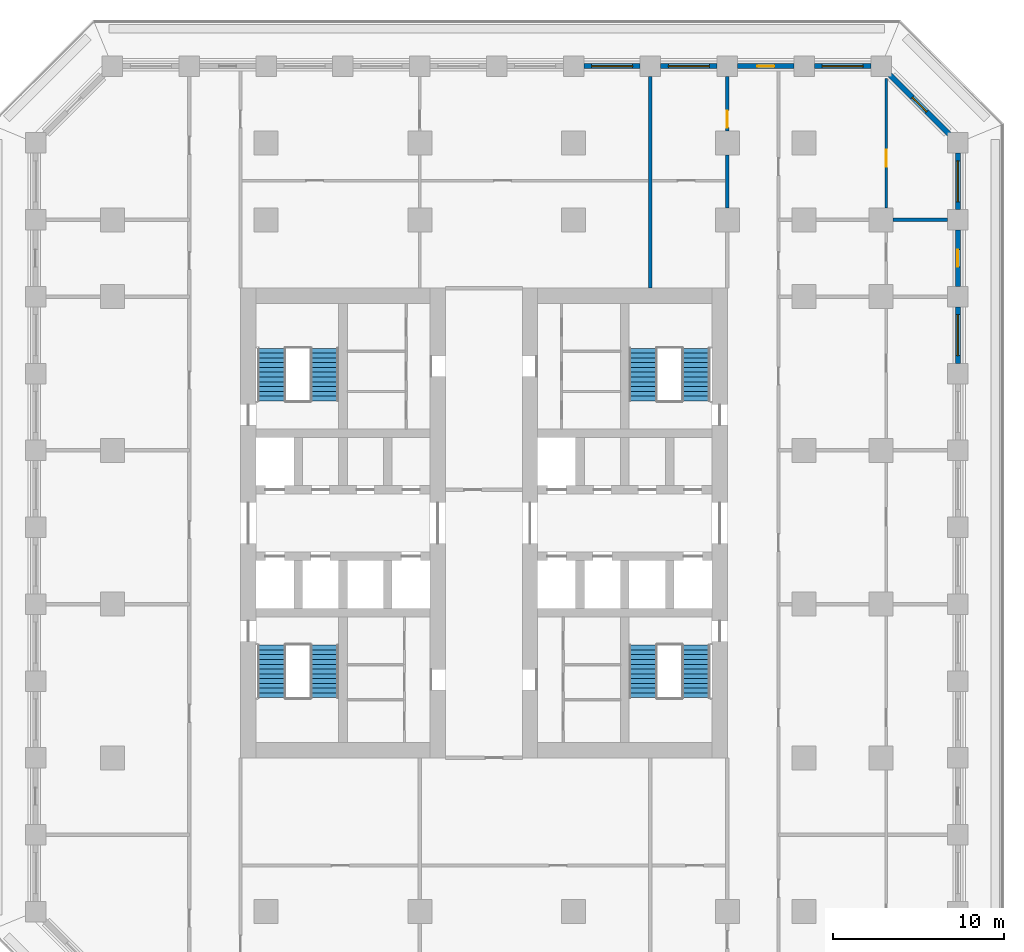
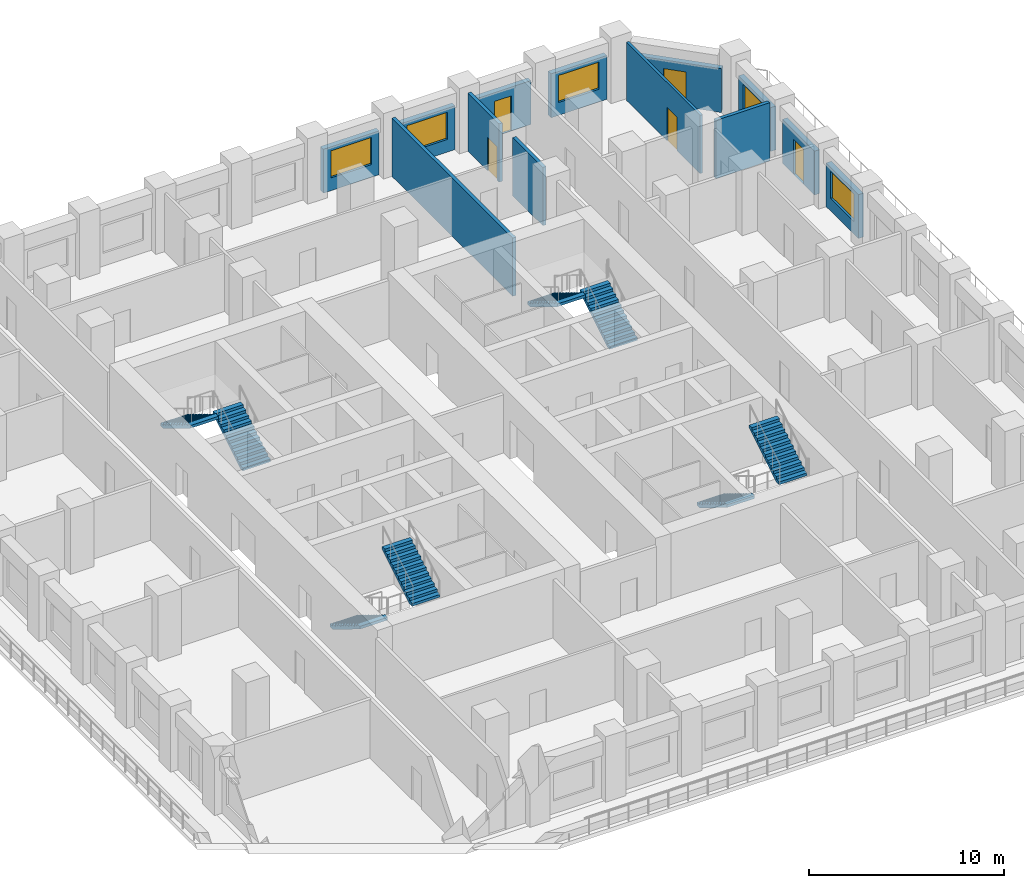
# One storey, part 8 of 17: 13 walls, 8 stair flights, 5 doors, 5 windows, 10 openings, 4 elements without a shape of their own.
"""IFC4 building model written with IfcOpenShell, lengths in metres."""

from ifc_helpers import new_model, si_unit, direction, frame, frame_2d, origin, place, context, subcontext, project, spatial, polyline, rectangle, outline, extrude, material, layer, layer_set, type_object, element, fill, aggregate, save


model = new_model("IFC4")

# Units and contexts
model_context = context("Model", 3, precision=1e-05, world=origin(), true_north=direction((0.0, 1.0)))
body_context = subcontext(model_context, "Body", "Model", "MODEL_VIEW")
ifc_project = project(units=[si_unit("LENGTHUNIT", "METRE"), si_unit("AREAUNIT", "SQUARE_METRE"), si_unit("VOLUMEUNIT", "CUBIC_METRE"), si_unit("PLANEANGLEUNIT", "RADIAN"), si_unit("MASSUNIT", "GRAM", prefix="KILO")], contexts=[model_context])

# Site, building, storey
site_placement = place(None, origin())
site = spatial("IfcSite", under=ifc_project, at=site_placement, CompositionType="ELEMENT")
building_placement = place(site_placement, origin())
building = spatial("IfcBuilding", under=site, at=building_placement, Name="Corbel Stack Research Tower", CompositionType="ELEMENT")
storey_placement = place(building_placement, frame((0.0, 0.0, 94.300048828125)))
storey = spatial("IfcBuildingStorey", under=building, at=storey_placement, Name="L21", CompositionType="ELEMENT", Elevation=94.300048828125)

# Walls
ifc_material_1 = material(Name="Fire-rated gypsum board partition on steel studs", Category="steel")
ifc_layer_1 = layer(ifc_material_1, 0.199951171875)
ifc_layer_set_1 = layer_set([ifc_layer_1], Name="Fire-rated gypsum board partition on steel studs")
wall_type_1 = type_object("IfcWallType", Name="Fire-rated partition 200 EI 60", PredefinedType="PARTITIONING", material=ifc_layer_set_1)
wall_1_placement = place(storey_placement, frame((13.5, 18.5, 0.0), z_axis=(0.0, 0.0, 1.0), x_axis=(0.0, 1.0, 0.0)))
element("IfcWall", 1, at=wall_1_placement, inside=storey, type_object=wall_type_1, Name="Partition L21-010", PredefinedType="PARTITIONING", context=body_context, shape_type="SweptSolid", body=[
    extrude(rectangle(XDim=12.39990234375, YDim=0.199951171875, at=frame_2d((6.199951171875, 0.0))), origin(), (0.0, 0.0, 1.0), 3.64990234375),
])
wall_2_placement = place(storey_placement, frame((18.0, 23.199951171875, 0.0), z_axis=(0.0, 0.0, 1.0), x_axis=(0.0, 1.0, 0.0)))
element("IfcWall", 2, at=wall_2_placement, inside=storey, type_object=wall_type_1, Name="Partition L21-014", PredefinedType="PARTITIONING", context=body_context, shape_type="SweptSolid", body=[
    extrude(rectangle(XDim=3.10009765625, YDim=0.199951171875, at=frame_2d((1.550048828125, 0.0))), origin(), (0.0, 0.0, 1.0), 3.64990234375),
])

# Wall, opening, door
wall_3_placement = place(storey_placement, frame((18.0, 27.699951171875, 0.0), z_axis=(0.0, 0.0, 1.0), x_axis=(0.0, 1.0, 0.0)))
wall_3 = element("IfcWall", 3, at=wall_3_placement, inside=storey, type_object=wall_type_1, Name="Partition L21-015", PredefinedType="PARTITIONING", context=body_context, shape_type="SweptSolid", body=[
    extrude(rectangle(XDim=3.199951171875, YDim=0.199951171875, at=frame_2d((1.60009765625, 0.0))), origin(), (0.0, 0.0, 1.0), 3.64990234375),
])
opening_1_placement = place(wall_3_placement, frame((0.199951171875, 0.0, 0.0)))
opening_1 = element("IfcOpeningElement", 4, at=opening_1_placement, cuts=wall_3, Name="Opening B3V1-016", PredefinedType="OPENING", context=body_context, shape_type="SweptSolid", body=[
    extrude(rectangle(XDim=1.0, YDim=2.10009765625, at=frame_2d((0.5, 1.050048828125))), frame((0.0, 0.10986328125, 0.0), z_axis=(0.0, -1.0, 0.0), x_axis=(1.0, 0.0, 0.0)), (0.0, 0.0, 1.0), 0.219970703125),
])
ifc_material_2 = material(Name="Painted steel fire door", Category="steel")
door_type_1 = type_object("IfcDoorType", Name="Fire door FD30S 1000 x 2100", OperationType="NOTDEFINED", PredefinedType="DOOR", material=ifc_material_2)
door_1_placement = place(opening_1_placement, origin())
door_1 = element("IfcDoor", 5, at=door_1_placement, inside=storey, type_object=door_type_1, Name="Door B3V1-016", OperationType="SINGLE_SWING_LEFT", OverallHeight=2.10009765625, OverallWidth=1.0, PredefinedType="DOOR", context=body_context, shape_type="SweptSolid", body=[
    extrude(rectangle(XDim=1.0, YDim=2.10009765625, at=frame_2d((0.5, 1.050048828125))), frame((0.0, 0.02490234375, 0.0), z_axis=(0.0, -1.0, 0.0), x_axis=(1.0, 0.0, 0.0)), (0.0, 0.0, 1.0), 0.050048828125),
])
fill(opening_1, door_1)

# Wall
wall_4_placement = place(storey_placement, frame((27.699951171875, 22.5, 0.0), z_axis=(0.0, 0.0, 1.0), x_axis=(1.0, 0.0, 0.0)))
element("IfcWall", 6, at=wall_4_placement, inside=storey, type_object=wall_type_1, Name="Partition L21-048", PredefinedType="PARTITIONING", context=body_context, shape_type="SweptSolid", body=[
    extrude(rectangle(XDim=3.199951171875, YDim=0.199951171875, at=frame_2d((1.60009765625, 0.0))), origin(), (0.0, 0.0, 1.0), 3.64990234375),
])

# Wall, opening, door
ifc_material_3 = material(Name="Gypsum board partition on steel studs", Category="steel")
ifc_layer_2 = layer(ifc_material_3, 0.14990234375)
ifc_layer_set_2 = layer_set([ifc_layer_2], Name="Gypsum board partition on steel studs")
wall_type_2 = type_object("IfcWallType", Name="Partition 150", PredefinedType="PARTITIONING", material=ifc_layer_set_2)
wall_5_placement = place(storey_placement, frame((27.300048828125, 30.777099609375, 0.0), z_axis=(0.0, 0.0, 1.0), x_axis=(0.0, -1.0, 0.0)))
wall_5 = element("IfcWall", 7, at=wall_5_placement, inside=storey, type_object=wall_type_2, Name="Partition L21-022", PredefinedType="PARTITIONING", context=body_context, shape_type="SweptSolid", body=[
    extrude(rectangle(XDim=7.5771484375, YDim=0.14990234375, at=frame_2d((3.78857421875, 0.0))), origin(), (0.0, 0.0, 1.0), 3.64990234375),
])
opening_2_placement = place(wall_5_placement, frame((4.17724609375, 0.0, 0.0)))
opening_2 = element("IfcOpeningElement", 8, at=opening_2_placement, cuts=wall_5, Name="Opening B3V1-031", PredefinedType="OPENING", context=body_context, shape_type="SweptSolid", body=[
    extrude(rectangle(XDim=1.0, YDim=2.10009765625, at=frame_2d((0.5, 1.050048828125))), frame((0.0, 0.0849609375, 0.0), z_axis=(0.0, -1.0, 0.0), x_axis=(1.0, 0.0, 0.0)), (0.0, 0.0, 1.0), 0.169921875),
])
ifc_material_4 = material(Name="Painted timber door", Category="wood")
door_type_2 = type_object("IfcDoorType", Name="Single door 1000 x 2100", OperationType="NOTDEFINED", PredefinedType="DOOR", material=ifc_material_4)
door_2_placement = place(opening_2_placement, origin())
door_2 = element("IfcDoor", 9, at=door_2_placement, inside=storey, type_object=door_type_2, Name="Door B3V1-031", OperationType="SINGLE_SWING_RIGHT", OverallHeight=2.10009765625, OverallWidth=1.0, PredefinedType="DOOR", context=body_context, shape_type="SweptSolid", body=[
    extrude(rectangle(XDim=1.0, YDim=2.10009765625, at=frame_2d((0.5, 1.050048828125))), frame((0.0, 0.02490234375, 0.0), z_axis=(0.0, -1.0, 0.0), x_axis=(1.0, 0.0, 0.0)), (0.0, 0.0, 1.0), 0.050048828125),
])
fill(opening_2, door_2)

# Wall, opening, window
ifc_material_5 = material(Name="Concrete C45/55", Category="concrete")
ifc_layer_3 = layer(ifc_material_5, 0.300048828125)
ifc_layer_set_3 = layer_set([ifc_layer_3], Name="Concrete C45/55")
wall_type_3 = type_object("IfcWallType", Name="Terracotta-faced concrete wall 300", PredefinedType="SOLIDWALL", material=ifc_layer_set_3)
wall_6_placement = place(storey_placement, frame((31.5, 17.39990234375, 0.0), z_axis=(0.0, 0.0, 1.0), x_axis=(0.0, -1.0, 0.0)))
wall_6 = element("IfcWall", 10, at=wall_6_placement, inside=storey, type_object=wall_type_3, Name="Facade wall L21 E08", PredefinedType="SOLIDWALL", context=body_context, shape_type="SweptSolid", body=[
    extrude(rectangle(XDim=3.2998046875, YDim=0.300048828125, at=frame_2d((1.64990234375, 0.0))), origin(), (0.0, 0.0, 1.0), 2.75),
])
opening_3_placement = place(wall_6_placement, frame((0.449951171875, 0.0, 0.800048828125)))
opening_3 = element("IfcOpeningElement", 11, at=opening_3_placement, cuts=wall_6, Name="Opening W1", PredefinedType="OPENING", context=body_context, shape_type="SweptSolid", body=[
    extrude(rectangle(XDim=2.39990234375, YDim=1.699951171875, at=frame_2d((1.199951171875, 0.85009765625))), frame((0.0, 0.159912109375, 0.0), z_axis=(0.0, -1.0, 0.0), x_axis=(1.0, 0.0, 0.0)), (0.0, 0.0, 1.0), 0.320068359375),
])
ifc_material_6 = material(Name="Aluminium frame, clear double glazing", Category="aluminium")
window_type = type_object("IfcWindowType", Name="Window W1 2400 x 1700", PartitioningType="SINGLE_PANEL", PredefinedType="WINDOW", material=ifc_material_6)
window_1_placement = place(opening_3_placement, origin())
window_1 = element("IfcWindow", 12, at=window_1_placement, inside=storey, type_object=window_type, Name="Window W1 L21 E08", OverallHeight=1.699951171875, OverallWidth=2.39990234375, PartitioningType="SINGLE_PANEL", PredefinedType="WINDOW", context=body_context, shape_type="SweptSolid", body=[
    extrude(rectangle(XDim=2.39990234375, YDim=1.699951171875, at=frame_2d((1.199951171875, 0.85009765625))), frame((0.0, 0.030029296875, 0.0), z_axis=(0.0, -1.0, 0.0), x_axis=(1.0, 0.0, 0.0)), (0.0, 0.0, 1.0), 0.06005859375),
])
fill(opening_3, window_1)

# Wall, opening, door
wall_7_placement = place(storey_placement, frame((31.5, 21.89990234375, 0.0), z_axis=(0.0, 0.0, 1.0), x_axis=(0.0, -1.0, 0.0)))
wall_7 = element("IfcWall", 13, at=wall_7_placement, inside=storey, type_object=wall_type_3, Name="Facade wall L21 E09", PredefinedType="SOLIDWALL", context=body_context, shape_type="SweptSolid", body=[
    extrude(rectangle(XDim=3.2998046875, YDim=0.300048828125, at=frame_2d((1.64990234375, 0.0))), origin(), (0.0, 0.0, 1.0), 2.75),
])
opening_4_placement = place(wall_7_placement, frame((1.14990234375, 0.0, 0.0)))
opening_4 = element("IfcOpeningElement", 14, at=opening_4_placement, cuts=wall_7, Name="Opening L21-B05", PredefinedType="OPENING", context=body_context, shape_type="SweptSolid", body=[
    extrude(rectangle(XDim=1.0, YDim=2.199951171875, at=frame_2d((0.5, 1.10009765625))), frame((0.0, 0.159912109375, 0.0), z_axis=(0.0, -1.0, 0.0), x_axis=(1.0, 0.0, 0.0)), (0.0, 0.0, 1.0), 0.320068359375),
])
ifc_material_7 = material(Name="Aluminium frame, clear double glazing", Category="aluminium")
door_type_3 = type_object("IfcDoorType", Name="Balcony door BD1 1000 x 2200", OperationType="NOTDEFINED", PredefinedType="DOOR", material=ifc_material_7)
door_3_placement = place(opening_4_placement, origin())
door_3 = element("IfcDoor", 15, at=door_3_placement, inside=storey, type_object=door_type_3, Name="Balcony door L21-B05", OperationType="SINGLE_SWING_RIGHT", OverallHeight=2.199951171875, OverallWidth=1.0, PredefinedType="DOOR", context=body_context, shape_type="SweptSolid", body=[
    extrude(rectangle(XDim=1.0, YDim=2.199951171875, at=frame_2d((0.5, 1.10009765625))), frame((0.0, 0.02490234375, 0.0), z_axis=(0.0, -1.0, 0.0), x_axis=(1.0, 0.0, 0.0)), (0.0, 0.0, 1.0), 0.050048828125),
])
fill(opening_4, door_3)

# Wall, opening, window
wall_8_placement = place(storey_placement, frame((31.5, 26.39990234375, 0.0), z_axis=(0.0, 0.0, 1.0), x_axis=(0.0, -1.0, 0.0)))
wall_8 = element("IfcWall", 16, at=wall_8_placement, inside=storey, type_object=wall_type_3, Name="Facade wall L21 E10", PredefinedType="SOLIDWALL", context=body_context, shape_type="SweptSolid", body=[
    extrude(rectangle(XDim=3.2998046875, YDim=0.300048828125, at=frame_2d((1.64990234375, 0.0))), origin(), (0.0, 0.0, 1.0), 2.75),
])
opening_5_placement = place(wall_8_placement, frame((0.449951171875, 0.0, 0.800048828125)))
opening_5 = element("IfcOpeningElement", 17, at=opening_5_placement, cuts=wall_8, Name="Opening W1", PredefinedType="OPENING", context=body_context, shape_type="SweptSolid", body=[
    extrude(rectangle(XDim=2.39990234375, YDim=1.699951171875, at=frame_2d((1.199951171875, 0.85009765625))), frame((0.0, 0.159912109375, 0.0), z_axis=(0.0, -1.0, 0.0), x_axis=(1.0, 0.0, 0.0)), (0.0, 0.0, 1.0), 0.320068359375),
])
window_2_placement = place(opening_5_placement, origin())
window_2 = element("IfcWindow", 18, at=window_2_placement, inside=storey, type_object=window_type, Name="Window W1 L21 E10", OverallHeight=1.699951171875, OverallWidth=2.39990234375, PartitioningType="SINGLE_PANEL", PredefinedType="WINDOW", context=body_context, shape_type="SweptSolid", body=[
    extrude(rectangle(XDim=2.39990234375, YDim=1.699951171875, at=frame_2d((1.199951171875, 0.85009765625))), frame((0.0, 0.030029296875, 0.0), z_axis=(0.0, -1.0, 0.0), x_axis=(1.0, 0.0, 0.0)), (0.0, 0.0, 1.0), 0.06005859375),
])
fill(opening_5, window_2)

# Wall, opening, door
wall_9_placement = place(storey_placement, frame((27.493896484375, 31.006103515625, 0.0), z_axis=(0.0, 0.0, 1.0), x_axis=(0.707106781187, -0.707106781187, 0.0)))
wall_9 = element("IfcWall", 19, at=wall_9_placement, inside=storey, type_object=wall_type_3, Name="Facade wall L21 NE01", PredefinedType="SOLIDWALL", context=body_context, shape_type="SweptSolid", body=[
    extrude(rectangle(XDim=4.967041015625, YDim=0.300048828125, at=frame_2d((2.4833984375, 0.0))), origin(), (0.0, 0.0, 1.0), 2.75),
])
opening_6_placement = place(wall_9_placement, frame((1.883544921875, 0.0, 0.0)))
opening_6 = element("IfcOpeningElement", 20, at=opening_6_placement, cuts=wall_9, Name="Opening L21-B06", PredefinedType="OPENING", context=body_context, shape_type="SweptSolid", body=[
    extrude(rectangle(XDim=1.199951171875, YDim=2.199951171875, at=frame_2d((0.60009765625, 1.10009765625))), frame((0.0, 0.159912109375, 0.0), z_axis=(0.0, -1.0, 0.0), x_axis=(1.0, 0.0, 0.0)), (0.0, 0.0, 1.0), 0.320068359375),
])
ifc_material_8 = material(Name="Aluminium frame, clear double glazing", Category="aluminium")
door_type_4 = type_object("IfcDoorType", Name="Balcony door BD2 1200 x 2200", OperationType="NOTDEFINED", PredefinedType="DOOR", material=ifc_material_8)
door_4_placement = place(opening_6_placement, origin())
door_4 = element("IfcDoor", 21, at=door_4_placement, inside=storey, type_object=door_type_4, Name="Balcony door L21-B06", OperationType="SINGLE_SWING_RIGHT", OverallHeight=2.199951171875, OverallWidth=1.199951171875, PredefinedType="DOOR", context=body_context, shape_type="SweptSolid", body=[
    extrude(rectangle(XDim=1.199951171875, YDim=2.199951171875, at=frame_2d((0.60009765625, 1.10009765625))), frame((0.0, 0.02490234375, 0.0), z_axis=(0.0, -1.0, 0.0), x_axis=(1.0, 0.0, 0.0)), (0.0, 0.0, 1.0), 0.050048828125),
])
fill(opening_6, door_4)

# Wall, opening, window
wall_10_placement = place(storey_placement, frame((23.10009765625, 31.5, 0.0), z_axis=(0.0, 0.0, 1.0), x_axis=(1.0, 0.0, 0.0)))
wall_10 = element("IfcWall", 22, at=wall_10_placement, inside=storey, type_object=wall_type_3, Name="Facade wall L21 N01", PredefinedType="SOLIDWALL", context=body_context, shape_type="SweptSolid", body=[
    extrude(rectangle(XDim=3.2998046875, YDim=0.300048828125, at=frame_2d((1.64990234375, 0.0))), origin(), (0.0, 0.0, 1.0), 2.75),
])
opening_7_placement = place(wall_10_placement, frame((0.449951171875, 0.0, 0.800048828125)))
opening_7 = element("IfcOpeningElement", 23, at=opening_7_placement, cuts=wall_10, Name="Opening W1", PredefinedType="OPENING", context=body_context, shape_type="SweptSolid", body=[
    extrude(rectangle(XDim=2.39990234375, YDim=1.699951171875, at=frame_2d((1.199951171875, 0.85009765625))), frame((0.0, 0.159912109375, 0.0), z_axis=(0.0, -1.0, 0.0), x_axis=(1.0, 0.0, 0.0)), (0.0, 0.0, 1.0), 0.320068359375),
])
window_3_placement = place(opening_7_placement, origin())
window_3 = element("IfcWindow", 24, at=window_3_placement, inside=storey, type_object=window_type, Name="Window W1 L21 N01", OverallHeight=1.699951171875, OverallWidth=2.39990234375, PartitioningType="SINGLE_PANEL", PredefinedType="WINDOW", context=body_context, shape_type="SweptSolid", body=[
    extrude(rectangle(XDim=2.39990234375, YDim=1.699951171875, at=frame_2d((1.199951171875, 0.85009765625))), frame((0.0, 0.030029296875, 0.0), z_axis=(0.0, -1.0, 0.0), x_axis=(1.0, 0.0, 0.0)), (0.0, 0.0, 1.0), 0.06005859375),
])
fill(opening_7, window_3)

# Wall, opening, door
wall_11_placement = place(storey_placement, frame((18.60009765625, 31.5, 0.0), z_axis=(0.0, 0.0, 1.0), x_axis=(1.0, 0.0, 0.0)))
wall_11 = element("IfcWall", 25, at=wall_11_placement, inside=storey, type_object=wall_type_3, Name="Facade wall L21 N02", PredefinedType="SOLIDWALL", context=body_context, shape_type="SweptSolid", body=[
    extrude(rectangle(XDim=3.2998046875, YDim=0.300048828125, at=frame_2d((1.64990234375, 0.0))), origin(), (0.0, 0.0, 1.0), 2.75),
])
opening_8_placement = place(wall_11_placement, frame((1.14990234375, 0.0, 0.0)))
opening_8 = element("IfcOpeningElement", 26, at=opening_8_placement, cuts=wall_11, Name="Opening L21-B07", PredefinedType="OPENING", context=body_context, shape_type="SweptSolid", body=[
    extrude(rectangle(XDim=1.0, YDim=2.199951171875, at=frame_2d((0.5, 1.10009765625))), frame((0.0, 0.159912109375, 0.0), z_axis=(0.0, -1.0, 0.0), x_axis=(1.0, 0.0, 0.0)), (0.0, 0.0, 1.0), 0.320068359375),
])
door_5_placement = place(opening_8_placement, origin())
door_5 = element("IfcDoor", 27, at=door_5_placement, inside=storey, type_object=door_type_3, Name="Balcony door L21-B07", OperationType="SINGLE_SWING_LEFT", OverallHeight=2.199951171875, OverallWidth=1.0, PredefinedType="DOOR", context=body_context, shape_type="SweptSolid", body=[
    extrude(rectangle(XDim=1.0, YDim=2.199951171875, at=frame_2d((0.5, 1.10009765625))), frame((0.0, 0.02490234375, 0.0), z_axis=(0.0, -1.0, 0.0), x_axis=(1.0, 0.0, 0.0)), (0.0, 0.0, 1.0), 0.050048828125),
])
fill(opening_8, door_5)

# Wall, opening, window
wall_12_placement = place(storey_placement, frame((14.10009765625, 31.5, 0.0), z_axis=(0.0, 0.0, 1.0), x_axis=(1.0, 0.0, 0.0)))
wall_12 = element("IfcWall", 28, at=wall_12_placement, inside=storey, type_object=wall_type_3, Name="Facade wall L21 N03", PredefinedType="SOLIDWALL", context=body_context, shape_type="SweptSolid", body=[
    extrude(rectangle(XDim=3.2998046875, YDim=0.300048828125, at=frame_2d((1.64990234375, 0.0))), origin(), (0.0, 0.0, 1.0), 2.75),
])
opening_9_placement = place(wall_12_placement, frame((0.449951171875, 0.0, 0.800048828125)))
opening_9 = element("IfcOpeningElement", 29, at=opening_9_placement, cuts=wall_12, Name="Opening W1", PredefinedType="OPENING", context=body_context, shape_type="SweptSolid", body=[
    extrude(rectangle(XDim=2.39990234375, YDim=1.699951171875, at=frame_2d((1.199951171875, 0.85009765625))), frame((0.0, 0.159912109375, 0.0), z_axis=(0.0, -1.0, 0.0), x_axis=(1.0, 0.0, 0.0)), (0.0, 0.0, 1.0), 0.320068359375),
])
window_4_placement = place(opening_9_placement, origin())
window_4 = element("IfcWindow", 30, at=window_4_placement, inside=storey, type_object=window_type, Name="Window W1 L21 N03", OverallHeight=1.699951171875, OverallWidth=2.39990234375, PartitioningType="SINGLE_PANEL", PredefinedType="WINDOW", context=body_context, shape_type="SweptSolid", body=[
    extrude(rectangle(XDim=2.39990234375, YDim=1.699951171875, at=frame_2d((1.199951171875, 0.85009765625))), frame((0.0, 0.030029296875, 0.0), z_axis=(0.0, -1.0, 0.0), x_axis=(1.0, 0.0, 0.0)), (0.0, 0.0, 1.0), 0.06005859375),
])
fill(opening_9, window_4)

wall_13_placement = place(storey_placement, frame((9.60009765625, 31.5, 0.0), z_axis=(0.0, 0.0, 1.0), x_axis=(1.0, 0.0, 0.0)))
wall_13 = element("IfcWall", 31, at=wall_13_placement, inside=storey, type_object=wall_type_3, Name="Facade wall L21 N04", PredefinedType="SOLIDWALL", context=body_context, shape_type="SweptSolid", body=[
    extrude(rectangle(XDim=3.2998046875, YDim=0.300048828125, at=frame_2d((1.64990234375, 0.0))), origin(), (0.0, 0.0, 1.0), 2.75),
])
opening_10_placement = place(wall_13_placement, frame((0.449951171875, 0.0, 0.800048828125)))
opening_10 = element("IfcOpeningElement", 32, at=opening_10_placement, cuts=wall_13, Name="Opening W1", PredefinedType="OPENING", context=body_context, shape_type="SweptSolid", body=[
    extrude(rectangle(XDim=2.39990234375, YDim=1.699951171875, at=frame_2d((1.199951171875, 0.85009765625))), frame((0.0, 0.159912109375, 0.0), z_axis=(0.0, -1.0, 0.0), x_axis=(1.0, 0.0, 0.0)), (0.0, 0.0, 1.0), 0.320068359375),
])
window_5_placement = place(opening_10_placement, origin())
window_5 = element("IfcWindow", 33, at=window_5_placement, inside=storey, type_object=window_type, Name="Window W1 L21 N04", OverallHeight=1.699951171875, OverallWidth=2.39990234375, PartitioningType="SINGLE_PANEL", PredefinedType="WINDOW", context=body_context, shape_type="SweptSolid", body=[
    extrude(rectangle(XDim=2.39990234375, YDim=1.699951171875, at=frame_2d((1.199951171875, 0.85009765625))), frame((0.0, 0.030029296875, 0.0), z_axis=(0.0, -1.0, 0.0), x_axis=(1.0, 0.0, 0.0)), (0.0, 0.0, 1.0), 0.06005859375),
])
fill(opening_10, window_5)

# Stair, stair flights
ifc_material_9 = material(Name="Concrete C40/50", Category="concrete")
stair_type = type_object("IfcStairType", Name="Exit stair 24 risers", PredefinedType="HALF_TURN_STAIR", material=ifc_material_9)
stair_1_placement = place(storey_placement, origin())
stair_1 = element("IfcStair", 34, at=stair_1_placement, inside=storey, type_object=stair_type, Name="L21 Exit stair ST-W1", PredefinedType="HALF_TURN_STAIR")
ifc_material_10 = material(Name="Concrete C40/50", Category="concrete")
stair_flight_type = type_object("IfcStairFlightType", Name="Stair flight 12 risers", PredefinedType="STRAIGHT", material=ifc_material_10)
stair_flight_1_placement = place(storey_placement, frame((-8.675048828125, -2.39990234375, 0.0), z_axis=(0.0, 0.0, 1.0), x_axis=(0.0, -1.0, 0.0)))
stair_flight_1 = element("IfcStairFlight", 35, at=stair_flight_1_placement, type_object=stair_flight_type, Name="ST-W1 flight 1", NumberOfRisers=12, NumberOfTreads=11, PredefinedType="STRAIGHT", RiserHeight=0.170833333, TreadLength=0.28, context=body_context, shape_type="SweptSolid", body=[
    extrude(outline(polyline([(0.0, 0.0), (0.0, 0.1708984375), (0.280029296875, 0.1708984375), (0.280029296875, 0.341552734375), (0.56005859375, 0.341552734375), (0.56005859375, 0.512451171875), (0.840087890625, 0.512451171875), (0.840087890625, 0.683349609375), (1.1201171875, 0.683349609375), (1.1201171875, 0.854248046875), (1.39990234375, 0.854248046875), (1.39990234375, 1.02490234375), (1.679931640625, 1.02490234375), (1.679931640625, 1.19580078125), (1.9599609375, 1.19580078125), (1.9599609375, 1.36669921875), (2.239990234375, 1.36669921875), (2.239990234375, 1.53759765625), (2.52001953125, 1.53759765625), (2.52001953125, 1.708251953125), (2.800048828125, 1.708251953125), (2.800048828125, 1.879150390625), (3.080078125, 1.879150390625), (3.080078125, 2.050048828125), (3.080078125, 1.70361328125), (0.287841796875, 0.0), (0.0, 0.0)])), frame((0.0, 0.824951171875, 0.0), z_axis=(0.0, -1.0, 0.0), x_axis=(1.0, 0.0, 0.0)), (0.0, 0.0, 1.0), 1.64990234375),
])
stair_flight_2_placement = place(storey_placement, frame((-5.574951171875, -5.47998046875, 2.050048828125), z_axis=(0.0, 0.0, 1.0), x_axis=(0.0, 1.0, 0.0)))
stair_flight_2 = element("IfcStairFlight", 36, at=stair_flight_2_placement, type_object=stair_flight_type, Name="ST-W1 flight 2", NumberOfRisers=12, NumberOfTreads=11, PredefinedType="STRAIGHT", RiserHeight=0.170833333, TreadLength=0.28, context=body_context, shape_type="SweptSolid", body=[
    extrude(outline(polyline([(0.0, 0.0), (0.0, 0.1708984375), (0.280029296875, 0.1708984375), (0.280029296875, 0.341552734375), (0.56005859375, 0.341552734375), (0.56005859375, 0.512451171875), (0.840087890625, 0.512451171875), (0.840087890625, 0.683349609375), (1.1201171875, 0.683349609375), (1.1201171875, 0.854248046875), (1.39990234375, 0.854248046875), (1.39990234375, 1.02490234375), (1.679931640625, 1.02490234375), (1.679931640625, 1.19580078125), (1.9599609375, 1.19580078125), (1.9599609375, 1.36669921875), (2.239990234375, 1.36669921875), (2.239990234375, 1.53759765625), (2.52001953125, 1.53759765625), (2.52001953125, 1.708251953125), (2.800048828125, 1.708251953125), (2.800048828125, 1.879150390625), (3.080078125, 1.879150390625), (3.080078125, 2.050048828125), (3.080078125, 1.70361328125), (0.287841796875, 0.0), (0.0, 0.0)])), frame((0.0, 0.824951171875, 0.0), z_axis=(0.0, -1.0, 0.0), x_axis=(1.0, 0.0, 0.0)), (0.0, 0.0, 1.0), 1.64990234375),
])
aggregate(stair_1, [stair_flight_1, stair_flight_2])

stair_2_placement = place(storey_placement, origin())
stair_2 = element("IfcStair", 37, at=stair_2_placement, inside=storey, type_object=stair_type, Name="L21 Exit stair ST-W2", PredefinedType="HALF_TURN_STAIR")
stair_flight_3_placement = place(storey_placement, frame((-5.574951171875, 11.89990234375, 0.0), z_axis=(0.0, 0.0, 1.0), x_axis=(0.0, 1.0, 0.0)))
stair_flight_3 = element("IfcStairFlight", 38, at=stair_flight_3_placement, type_object=stair_flight_type, Name="ST-W2 flight 1", NumberOfRisers=12, NumberOfTreads=11, PredefinedType="STRAIGHT", RiserHeight=0.170833333, TreadLength=0.28, context=body_context, shape_type="SweptSolid", body=[
    extrude(outline(polyline([(0.0, 0.0), (0.0, 0.1708984375), (0.280029296875, 0.1708984375), (0.280029296875, 0.341552734375), (0.56005859375, 0.341552734375), (0.56005859375, 0.512451171875), (0.840087890625, 0.512451171875), (0.840087890625, 0.683349609375), (1.1201171875, 0.683349609375), (1.1201171875, 0.854248046875), (1.39990234375, 0.854248046875), (1.39990234375, 1.02490234375), (1.679931640625, 1.02490234375), (1.679931640625, 1.19580078125), (1.9599609375, 1.19580078125), (1.9599609375, 1.36669921875), (2.239990234375, 1.36669921875), (2.239990234375, 1.53759765625), (2.52001953125, 1.53759765625), (2.52001953125, 1.708251953125), (2.800048828125, 1.708251953125), (2.800048828125, 1.879150390625), (3.080078125, 1.879150390625), (3.080078125, 2.050048828125), (3.080078125, 1.70361328125), (0.287841796875, 0.0), (0.0, 0.0)])), frame((0.0, 0.824951171875, 0.0), z_axis=(0.0, -1.0, 0.0), x_axis=(1.0, 0.0, 0.0)), (0.0, 0.0, 1.0), 1.64990234375),
])
stair_flight_4_placement = place(storey_placement, frame((-8.675048828125, 14.97998046875, 2.050048828125), z_axis=(0.0, 0.0, 1.0), x_axis=(0.0, -1.0, 0.0)))
stair_flight_4 = element("IfcStairFlight", 39, at=stair_flight_4_placement, type_object=stair_flight_type, Name="ST-W2 flight 2", NumberOfRisers=12, NumberOfTreads=11, PredefinedType="STRAIGHT", RiserHeight=0.170833333, TreadLength=0.28, context=body_context, shape_type="SweptSolid", body=[
    extrude(outline(polyline([(0.0, 0.0), (0.0, 0.1708984375), (0.280029296875, 0.1708984375), (0.280029296875, 0.341552734375), (0.56005859375, 0.341552734375), (0.56005859375, 0.512451171875), (0.840087890625, 0.512451171875), (0.840087890625, 0.683349609375), (1.1201171875, 0.683349609375), (1.1201171875, 0.854248046875), (1.39990234375, 0.854248046875), (1.39990234375, 1.02490234375), (1.679931640625, 1.02490234375), (1.679931640625, 1.19580078125), (1.9599609375, 1.19580078125), (1.9599609375, 1.36669921875), (2.239990234375, 1.36669921875), (2.239990234375, 1.53759765625), (2.52001953125, 1.53759765625), (2.52001953125, 1.708251953125), (2.800048828125, 1.708251953125), (2.800048828125, 1.879150390625), (3.080078125, 1.879150390625), (3.080078125, 2.050048828125), (3.080078125, 1.70361328125), (0.287841796875, 0.0), (0.0, 0.0)])), frame((0.0, 0.824951171875, 0.0), z_axis=(0.0, -1.0, 0.0), x_axis=(1.0, 0.0, 0.0)), (0.0, 0.0, 1.0), 1.64990234375),
])
aggregate(stair_2, [stair_flight_3, stair_flight_4])

stair_3_placement = place(storey_placement, origin())
stair_3 = element("IfcStair", 40, at=stair_3_placement, inside=storey, type_object=stair_type, Name="L21 Exit stair ST-E1", PredefinedType="HALF_TURN_STAIR")
stair_flight_5_placement = place(storey_placement, frame((13.074951171875, -2.39990234375, 0.0), z_axis=(0.0, 0.0, 1.0), x_axis=(0.0, -1.0, 0.0)))
stair_flight_5 = element("IfcStairFlight", 41, at=stair_flight_5_placement, type_object=stair_flight_type, Name="ST-E1 flight 1", NumberOfRisers=12, NumberOfTreads=11, PredefinedType="STRAIGHT", RiserHeight=0.170833333, TreadLength=0.28, context=body_context, shape_type="SweptSolid", body=[
    extrude(outline(polyline([(0.0, 0.0), (0.0, 0.1708984375), (0.280029296875, 0.1708984375), (0.280029296875, 0.341552734375), (0.56005859375, 0.341552734375), (0.56005859375, 0.512451171875), (0.840087890625, 0.512451171875), (0.840087890625, 0.683349609375), (1.1201171875, 0.683349609375), (1.1201171875, 0.854248046875), (1.39990234375, 0.854248046875), (1.39990234375, 1.02490234375), (1.679931640625, 1.02490234375), (1.679931640625, 1.19580078125), (1.9599609375, 1.19580078125), (1.9599609375, 1.36669921875), (2.239990234375, 1.36669921875), (2.239990234375, 1.53759765625), (2.52001953125, 1.53759765625), (2.52001953125, 1.708251953125), (2.800048828125, 1.708251953125), (2.800048828125, 1.879150390625), (3.080078125, 1.879150390625), (3.080078125, 2.050048828125), (3.080078125, 1.70361328125), (0.287841796875, 0.0), (0.0, 0.0)])), frame((0.0, 0.824951171875, 0.0), z_axis=(0.0, -1.0, 0.0), x_axis=(1.0, 0.0, 0.0)), (0.0, 0.0, 1.0), 1.64990234375),
])
stair_flight_6_placement = place(storey_placement, frame((16.175048828125, -5.47998046875, 2.050048828125), z_axis=(0.0, 0.0, 1.0), x_axis=(0.0, 1.0, 0.0)))
stair_flight_6 = element("IfcStairFlight", 42, at=stair_flight_6_placement, type_object=stair_flight_type, Name="ST-E1 flight 2", NumberOfRisers=12, NumberOfTreads=11, PredefinedType="STRAIGHT", RiserHeight=0.170833333, TreadLength=0.28, context=body_context, shape_type="SweptSolid", body=[
    extrude(outline(polyline([(0.0, 0.0), (0.0, 0.1708984375), (0.280029296875, 0.1708984375), (0.280029296875, 0.341552734375), (0.56005859375, 0.341552734375), (0.56005859375, 0.512451171875), (0.840087890625, 0.512451171875), (0.840087890625, 0.683349609375), (1.1201171875, 0.683349609375), (1.1201171875, 0.854248046875), (1.39990234375, 0.854248046875), (1.39990234375, 1.02490234375), (1.679931640625, 1.02490234375), (1.679931640625, 1.19580078125), (1.9599609375, 1.19580078125), (1.9599609375, 1.36669921875), (2.239990234375, 1.36669921875), (2.239990234375, 1.53759765625), (2.52001953125, 1.53759765625), (2.52001953125, 1.708251953125), (2.800048828125, 1.708251953125), (2.800048828125, 1.879150390625), (3.080078125, 1.879150390625), (3.080078125, 2.050048828125), (3.080078125, 1.70361328125), (0.287841796875, 0.0), (0.0, 0.0)])), frame((0.0, 0.824951171875, 0.0), z_axis=(0.0, -1.0, 0.0), x_axis=(1.0, 0.0, 0.0)), (0.0, 0.0, 1.0), 1.64990234375),
])
aggregate(stair_3, [stair_flight_5, stair_flight_6])

stair_4_placement = place(storey_placement, origin())
stair_4 = element("IfcStair", 43, at=stair_4_placement, inside=storey, type_object=stair_type, Name="L21 Exit stair ST-E2", PredefinedType="HALF_TURN_STAIR")
stair_flight_7_placement = place(storey_placement, frame((16.175048828125, 11.89990234375, 0.0), z_axis=(0.0, 0.0, 1.0), x_axis=(0.0, 1.0, 0.0)))
stair_flight_7 = element("IfcStairFlight", 44, at=stair_flight_7_placement, type_object=stair_flight_type, Name="ST-E2 flight 1", NumberOfRisers=12, NumberOfTreads=11, PredefinedType="STRAIGHT", RiserHeight=0.170833333, TreadLength=0.28, context=body_context, shape_type="SweptSolid", body=[
    extrude(outline(polyline([(0.0, 0.0), (0.0, 0.1708984375), (0.280029296875, 0.1708984375), (0.280029296875, 0.341552734375), (0.56005859375, 0.341552734375), (0.56005859375, 0.512451171875), (0.840087890625, 0.512451171875), (0.840087890625, 0.683349609375), (1.1201171875, 0.683349609375), (1.1201171875, 0.854248046875), (1.39990234375, 0.854248046875), (1.39990234375, 1.02490234375), (1.679931640625, 1.02490234375), (1.679931640625, 1.19580078125), (1.9599609375, 1.19580078125), (1.9599609375, 1.36669921875), (2.239990234375, 1.36669921875), (2.239990234375, 1.53759765625), (2.52001953125, 1.53759765625), (2.52001953125, 1.708251953125), (2.800048828125, 1.708251953125), (2.800048828125, 1.879150390625), (3.080078125, 1.879150390625), (3.080078125, 2.050048828125), (3.080078125, 1.70361328125), (0.287841796875, 0.0), (0.0, 0.0)])), frame((0.0, 0.824951171875, 0.0), z_axis=(0.0, -1.0, 0.0), x_axis=(1.0, 0.0, 0.0)), (0.0, 0.0, 1.0), 1.64990234375),
])
stair_flight_8_placement = place(storey_placement, frame((13.074951171875, 14.97998046875, 2.050048828125), z_axis=(0.0, 0.0, 1.0), x_axis=(0.0, -1.0, 0.0)))
stair_flight_8 = element("IfcStairFlight", 45, at=stair_flight_8_placement, type_object=stair_flight_type, Name="ST-E2 flight 2", NumberOfRisers=12, NumberOfTreads=11, PredefinedType="STRAIGHT", RiserHeight=0.170833333, TreadLength=0.28, context=body_context, shape_type="SweptSolid", body=[
    extrude(outline(polyline([(0.0, 0.0), (0.0, 0.1708984375), (0.280029296875, 0.1708984375), (0.280029296875, 0.341552734375), (0.56005859375, 0.341552734375), (0.56005859375, 0.512451171875), (0.840087890625, 0.512451171875), (0.840087890625, 0.683349609375), (1.1201171875, 0.683349609375), (1.1201171875, 0.854248046875), (1.39990234375, 0.854248046875), (1.39990234375, 1.02490234375), (1.679931640625, 1.02490234375), (1.679931640625, 1.19580078125), (1.9599609375, 1.19580078125), (1.9599609375, 1.36669921875), (2.239990234375, 1.36669921875), (2.239990234375, 1.53759765625), (2.52001953125, 1.53759765625), (2.52001953125, 1.708251953125), (2.800048828125, 1.708251953125), (2.800048828125, 1.879150390625), (3.080078125, 1.879150390625), (3.080078125, 2.050048828125), (3.080078125, 1.70361328125), (0.287841796875, 0.0), (0.0, 0.0)])), frame((0.0, 0.824951171875, 0.0), z_axis=(0.0, -1.0, 0.0), x_axis=(1.0, 0.0, 0.0)), (0.0, 0.0, 1.0), 1.64990234375),
])
aggregate(stair_4, [stair_flight_7, stair_flight_8])

save(model, "model.ifc")
